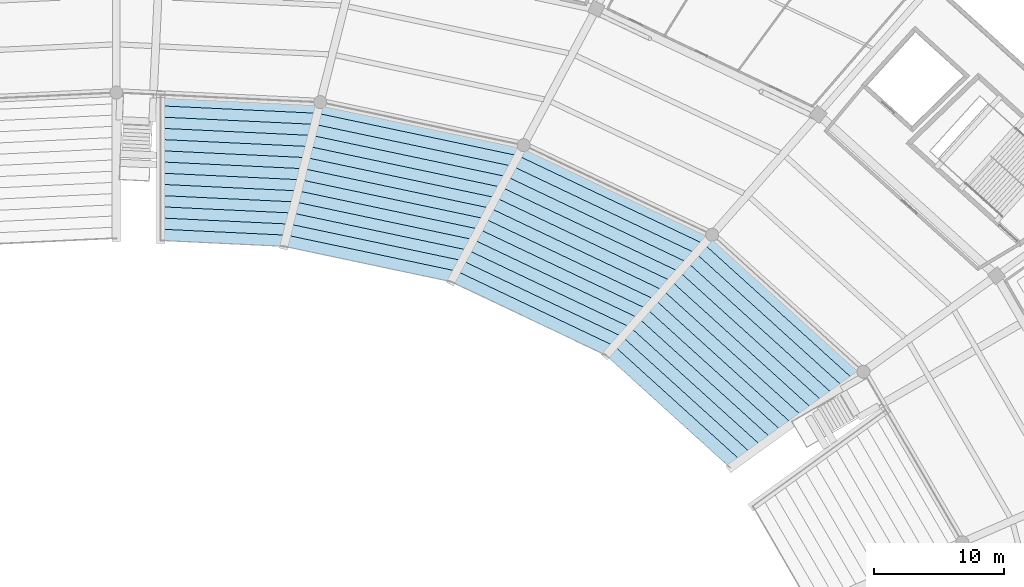
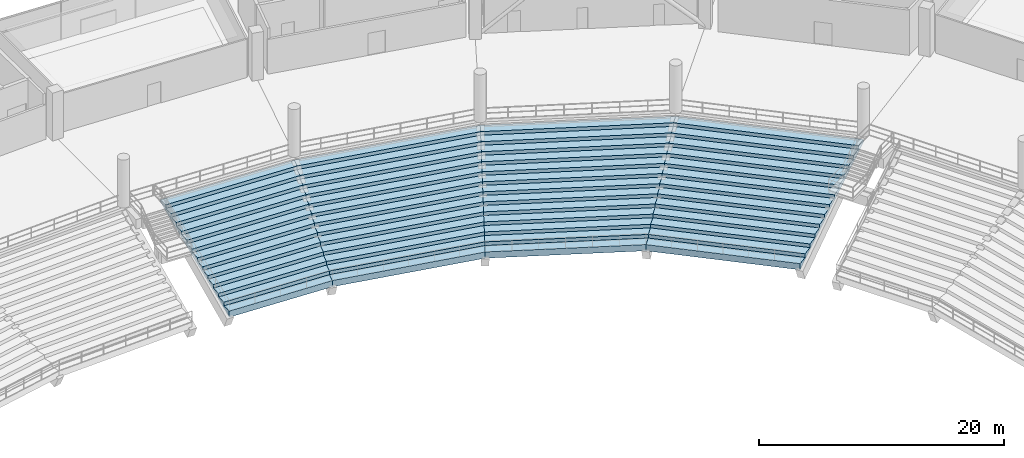
# One storey, part 115 of 156: 4 slabs.
"""IFC4 building model written with IfcOpenShell, lengths in metres."""

from ifc_helpers import new_model, si_unit, direction, frame, origin, place, context, subcontext, project, spatial, polygons, material, layer, layer_set, type_object, element, save


model = new_model("IFC4")

# Units and contexts
model_context = context("Model", 3, precision=1e-05, world=origin(), true_north=direction((0.0, 1.0)))
body_context = subcontext(model_context, "Body", "Model", "MODEL_VIEW")
ifc_project = project(units=[si_unit("LENGTHUNIT", "METRE"), si_unit("AREAUNIT", "SQUARE_METRE"), si_unit("VOLUMEUNIT", "CUBIC_METRE"), si_unit("PLANEANGLEUNIT", "RADIAN"), si_unit("MASSUNIT", "GRAM", prefix="KILO")], contexts=[model_context])

# Site, building, storey
site_placement = place(None, origin())
site = spatial("IfcSite", under=ifc_project, at=site_placement, CompositionType="ELEMENT")
building_placement = place(site_placement, origin())
building = spatial("IfcBuilding", under=site, at=building_placement, Name="Kazemori Nagisa Stadium", CompositionType="ELEMENT")
storey_placement = place(building_placement, frame((0.0, 0.0, 5.780029296875)))
storey = spatial("IfcBuildingStorey", under=building, at=storey_placement, Name="L01", CompositionType="ELEMENT", Elevation=5.780029296875)

# Slabs
ifc_material = material(Name="Concrete C36/45 (Fc36)", Category="concrete")
ifc_layer_1 = layer(ifc_material, 4.93994140625, Name="Concrete C36/45 (Fc36)", Category="concrete")
ifc_layer_set_1 = layer_set([ifc_layer_1], Name="Concrete C36/45 (Fc36)")
slab_type_1 = type_object("IfcSlabType", Name="SeatingTier_ST-LOW-13", PredefinedType="USERDEFINED", material=ifc_layer_set_1)
slab_1_placement = place(storey_placement, frame((0.0, 0.0, -5.780029296875)))
element("IfcSlab", 1, at=slab_1_placement, inside=storey, type_object=slab_type_1, Name="Stand lower tier bay 04", ObjectType="SEATING TIER", PredefinedType="USERDEFINED", context=body_context, shape_type="Tessellation", body=[
    polygons([(160.558837890625, 144.635498046875, 0.239990234375), (160.558837890625, 144.635498046875, 0.860107421875), (161.184814453125, 145.34619140625, 0.860107421875), (161.184814453125, 145.34619140625, 1.22021484375), (161.810791015625, 146.056640625, 1.22021484375), (161.810791015625, 146.056640625, 1.580322265625), (162.436767578125, 146.767333984375, 1.580322265625), (162.436767578125, 146.767333984375, 1.9404296875), (163.062744140625, 147.477783203125, 1.9404296875), (163.062744140625, 147.477783203125, 2.300537109375), (163.688720703125, 148.1884765625, 2.300537109375), (163.688720703125, 148.1884765625, 2.66064453125), (164.314697265625, 148.89892578125, 2.66064453125), (164.314697265625, 148.89892578125, 3.020751953125), (164.940673828125, 149.609619140625, 3.020751953125), (164.940673828125, 149.609619140625, 3.380859375), (165.566650390625, 150.320068359375, 3.380859375), (165.566650390625, 150.320068359375, 3.740966796875), (166.192626953125, 151.03076171875, 3.740966796875), (166.192626953125, 151.03076171875, 4.10107421875), (166.818603515625, 151.7412109375, 4.10107421875), (166.818603515625, 151.7412109375, 4.461181640625), (167.444580078125, 152.451904296875, 4.461181640625), (167.444580078125, 152.451904296875, 4.8212890625), (168.070556640625, 153.162353515625, 4.8212890625), (168.070556640625, 153.162353515625, 5.181396484375), (168.696533203125, 153.873046875, 5.181396484375), (168.696533203125, 153.873046875, 4.92138671875), (168.070556640625, 153.162353515625, 4.561279296875), (167.444580078125, 152.451904296875, 4.201171875), (166.818603515625, 151.7412109375, 3.841064453125), (166.192626953125, 151.03076171875, 3.48095703125), (165.566650390625, 150.320068359375, 3.120849609375), (164.940673828125, 149.609619140625, 2.7607421875), (164.314697265625, 148.89892578125, 2.400634765625), (163.688720703125, 148.1884765625, 2.04052734375), (163.062744140625, 147.477783203125, 1.680419921875), (162.436767578125, 146.767333984375, 1.3203125), (161.810791015625, 146.056640625, 0.960205078125), (161.184814453125, 145.34619140625, 0.60009765625), (170.09716796875, 136.00048828125, 0.239990234375), (170.09716796875, 136.00048828125, 0.860107421875), (170.882080078125, 136.567138671875, 0.860107421875), (170.882080078125, 136.567138671875, 1.22021484375), (171.6669921875, 137.1337890625, 1.22021484375), (171.6669921875, 137.1337890625, 1.580322265625), (172.451904296875, 137.700439453125, 1.580322265625), (172.451904296875, 137.700439453125, 1.9404296875), (173.237060546875, 138.267333984375, 1.9404296875), (173.237060546875, 138.267333984375, 2.300537109375), (174.02197265625, 138.833984375, 2.300537109375), (174.02197265625, 138.833984375, 2.66064453125), (174.806884765625, 139.400634765625, 2.66064453125), (174.806884765625, 139.400634765625, 3.020751953125), (175.591796875, 139.96728515625, 3.020751953125), (175.591796875, 139.96728515625, 3.380859375), (176.376708984375, 140.533935546875, 3.380859375), (176.376708984375, 140.533935546875, 3.740966796875), (177.16162109375, 141.1005859375, 3.740966796875), (177.16162109375, 141.1005859375, 4.10107421875), (177.94677734375, 141.66748046875, 4.10107421875), (177.94677734375, 141.66748046875, 4.461181640625), (178.731689453125, 142.234130859375, 4.461181640625), (178.731689453125, 142.234130859375, 4.8212890625), (179.5166015625, 142.80078125, 4.8212890625), (179.5166015625, 142.80078125, 5.181396484375), (180.301513671875, 143.367431640625, 5.181396484375), (180.301513671875, 143.367431640625, 4.92138671875), (179.5166015625, 142.80078125, 4.561279296875), (178.731689453125, 142.234130859375, 4.201171875), (177.94677734375, 141.66748046875, 3.841064453125), (177.16162109375, 141.1005859375, 3.48095703125), (176.376708984375, 140.533935546875, 3.120849609375), (175.591796875, 139.96728515625, 2.7607421875), (174.806884765625, 139.400634765625, 2.400634765625), (174.02197265625, 138.833984375, 2.04052734375), (173.237060546875, 138.267333984375, 1.680419921875), (172.451904296875, 137.700439453125, 1.3203125), (171.6669921875, 137.1337890625, 0.960205078125), (170.882080078125, 136.567138671875, 0.60009765625)], [[[1, 41, 42]], [[1, 42, 2]], [[2, 42, 43]], [[2, 43, 3]], [[3, 43, 44]], [[3, 44, 4]], [[4, 44, 45]], [[4, 45, 5]], [[5, 45, 46]], [[5, 46, 6]], [[6, 46, 47]], [[6, 47, 7]], [[7, 47, 48]], [[7, 48, 8]], [[8, 48, 49]], [[8, 49, 9]], [[9, 49, 50]], [[9, 50, 10]], [[10, 50, 51]], [[10, 51, 11]], [[11, 51, 52]], [[11, 52, 12]], [[12, 52, 53]], [[12, 53, 13]], [[13, 53, 54]], [[13, 54, 14]], [[14, 54, 55]], [[14, 55, 15]], [[15, 55, 56]], [[15, 56, 16]], [[16, 56, 57]], [[16, 57, 17]], [[17, 57, 58]], [[17, 58, 18]], [[18, 58, 59]], [[18, 59, 19]], [[19, 59, 60]], [[19, 60, 20]], [[20, 60, 61]], [[20, 61, 21]], [[21, 61, 62]], [[21, 62, 22]], [[22, 62, 63]], [[22, 63, 23]], [[23, 63, 64]], [[23, 64, 24]], [[24, 64, 65]], [[24, 65, 25]], [[25, 65, 66]], [[25, 66, 26]], [[26, 66, 67]], [[26, 67, 27]], [[27, 67, 68]], [[27, 68, 28]], [[28, 68, 29]], [[29, 68, 69]], [[29, 69, 30]], [[30, 69, 70]], [[30, 70, 31]], [[31, 70, 71]], [[31, 71, 32]], [[32, 71, 72]], [[32, 72, 33]], [[33, 72, 73]], [[33, 73, 34]], [[34, 73, 74]], [[34, 74, 35]], [[35, 74, 75]], [[35, 75, 36]], [[36, 75, 76]], [[36, 76, 37]], [[37, 76, 77]], [[37, 77, 38]], [[38, 77, 78]], [[38, 78, 39]], [[39, 78, 79]], [[39, 79, 40]], [[40, 79, 80]], [[40, 80, 1]], [[1, 80, 41]], [[1, 2, 3]], [[43, 42, 41]], [[1, 3, 40]], [[80, 43, 41]], [[40, 3, 39]], [[79, 43, 80]], [[39, 3, 5]], [[45, 43, 79]], [[3, 4, 5]], [[45, 44, 43]], [[39, 5, 38]], [[78, 45, 79]], [[38, 5, 7]], [[47, 45, 78]], [[5, 6, 7]], [[47, 46, 45]], [[38, 7, 37]], [[77, 47, 78]], [[37, 7, 9]], [[49, 47, 77]], [[7, 8, 9]], [[49, 48, 47]], [[37, 9, 36]], [[76, 49, 77]], [[36, 9, 11]], [[51, 49, 76]], [[9, 10, 11]], [[51, 50, 49]], [[36, 11, 35]], [[75, 51, 76]], [[35, 11, 13]], [[53, 51, 75]], [[11, 12, 13]], [[53, 52, 51]], [[35, 13, 34]], [[74, 53, 75]], [[34, 13, 15]], [[55, 53, 74]], [[13, 14, 15]], [[55, 54, 53]], [[34, 15, 33]], [[73, 55, 74]], [[33, 15, 17]], [[57, 55, 73]], [[15, 16, 17]], [[57, 56, 55]], [[33, 17, 32]], [[72, 57, 73]], [[32, 17, 19]], [[59, 57, 72]], [[17, 18, 19]], [[59, 58, 57]], [[32, 19, 31]], [[71, 59, 72]], [[31, 19, 21]], [[61, 59, 71]], [[19, 20, 21]], [[61, 60, 59]], [[31, 21, 30]], [[70, 61, 71]], [[30, 21, 23]], [[63, 61, 70]], [[21, 22, 23]], [[63, 62, 61]], [[30, 23, 29]], [[69, 63, 70]], [[29, 23, 25]], [[65, 63, 69]], [[23, 24, 25]], [[65, 64, 63]], [[29, 25, 28]], [[68, 65, 69]], [[28, 25, 27]], [[67, 65, 68]], [[25, 26, 27]], [[67, 66, 65]]], closed=True),
])
slab_2_placement = place(storey_placement, frame((0.0, 0.0, -5.780029296875)))
element("IfcSlab", 2, at=slab_2_placement, inside=storey, type_object=slab_type_1, Name="Stand lower tier bay 05", ObjectType="SEATING TIER", PredefinedType="USERDEFINED", context=body_context, shape_type="Tessellation", body=[
    polygons([(148.682861328125, 150.278564453125, 0.239990234375), (148.682861328125, 150.278564453125, 0.860107421875), (149.11083984375, 151.083251953125, 0.860107421875), (149.11083984375, 151.083251953125, 1.22021484375), (149.5390625, 151.887939453125, 1.22021484375), (149.5390625, 151.887939453125, 1.580322265625), (149.967041015625, 152.692626953125, 1.580322265625), (149.967041015625, 152.692626953125, 1.9404296875), (150.39501953125, 153.4970703125, 1.9404296875), (150.39501953125, 153.4970703125, 2.300537109375), (150.8232421875, 154.3017578125, 2.300537109375), (150.8232421875, 154.3017578125, 2.66064453125), (151.251220703125, 155.1064453125, 2.66064453125), (151.251220703125, 155.1064453125, 3.020751953125), (151.67919921875, 155.9111328125, 3.020751953125), (151.67919921875, 155.9111328125, 3.380859375), (152.107177734375, 156.7158203125, 3.380859375), (152.107177734375, 156.7158203125, 3.740966796875), (152.535400390625, 157.5205078125, 3.740966796875), (152.535400390625, 157.5205078125, 4.10107421875), (152.96337890625, 158.324951171875, 4.10107421875), (152.96337890625, 158.324951171875, 4.461181640625), (153.391357421875, 159.129638671875, 4.461181640625), (153.391357421875, 159.129638671875, 4.8212890625), (153.819580078125, 159.934326171875, 4.8212890625), (153.819580078125, 159.934326171875, 5.181396484375), (154.24755859375, 160.739013671875, 5.181396484375), (154.24755859375, 160.739013671875, 4.92138671875), (153.819580078125, 159.934326171875, 4.561279296875), (153.391357421875, 159.129638671875, 4.201171875), (152.96337890625, 158.324951171875, 3.841064453125), (152.535400390625, 157.5205078125, 3.48095703125), (152.107177734375, 156.7158203125, 3.120849609375), (151.67919921875, 155.9111328125, 2.7607421875), (151.251220703125, 155.1064453125, 2.400634765625), (150.8232421875, 154.3017578125, 2.04052734375), (150.39501953125, 153.4970703125, 1.680419921875), (149.967041015625, 152.692626953125, 1.3203125), (149.5390625, 151.887939453125, 0.960205078125), (149.11083984375, 151.083251953125, 0.60009765625), (160.558837890625, 144.635498046875, 0.239990234375), (160.558837890625, 144.635498046875, 0.860107421875), (161.184814453125, 145.34619140625, 0.860107421875), (161.184814453125, 145.34619140625, 1.22021484375), (161.810791015625, 146.056640625, 1.22021484375), (161.810791015625, 146.056640625, 1.580322265625), (162.436767578125, 146.767333984375, 1.580322265625), (162.436767578125, 146.767333984375, 1.9404296875), (163.062744140625, 147.477783203125, 1.9404296875), (163.062744140625, 147.477783203125, 2.300537109375), (163.688720703125, 148.1884765625, 2.300537109375), (163.688720703125, 148.1884765625, 2.66064453125), (164.314697265625, 148.89892578125, 2.66064453125), (164.314697265625, 148.89892578125, 3.020751953125), (164.940673828125, 149.609619140625, 3.020751953125), (164.940673828125, 149.609619140625, 3.380859375), (165.566650390625, 150.320068359375, 3.380859375), (165.566650390625, 150.320068359375, 3.740966796875), (166.192626953125, 151.03076171875, 3.740966796875), (166.192626953125, 151.03076171875, 4.10107421875), (166.818603515625, 151.7412109375, 4.10107421875), (166.818603515625, 151.7412109375, 4.461181640625), (167.444580078125, 152.451904296875, 4.461181640625), (167.444580078125, 152.451904296875, 4.8212890625), (168.070556640625, 153.162353515625, 4.8212890625), (168.070556640625, 153.162353515625, 5.181396484375), (168.696533203125, 153.873046875, 5.181396484375), (168.696533203125, 153.873046875, 4.92138671875), (168.070556640625, 153.162353515625, 4.561279296875), (167.444580078125, 152.451904296875, 4.201171875), (166.818603515625, 151.7412109375, 3.841064453125), (166.192626953125, 151.03076171875, 3.48095703125), (165.566650390625, 150.320068359375, 3.120849609375), (164.940673828125, 149.609619140625, 2.7607421875), (164.314697265625, 148.89892578125, 2.400634765625), (163.688720703125, 148.1884765625, 2.04052734375), (163.062744140625, 147.477783203125, 1.680419921875), (162.436767578125, 146.767333984375, 1.3203125), (161.810791015625, 146.056640625, 0.960205078125), (161.184814453125, 145.34619140625, 0.60009765625)], [[[1, 41, 42]], [[1, 42, 2]], [[2, 42, 43]], [[2, 43, 3]], [[3, 43, 44]], [[3, 44, 4]], [[4, 44, 45]], [[4, 45, 5]], [[5, 45, 46]], [[5, 46, 6]], [[6, 46, 47]], [[6, 47, 7]], [[7, 47, 48]], [[7, 48, 8]], [[8, 48, 49]], [[8, 49, 9]], [[9, 49, 50]], [[9, 50, 10]], [[10, 50, 51]], [[10, 51, 11]], [[11, 51, 52]], [[11, 52, 12]], [[12, 52, 53]], [[12, 53, 13]], [[13, 53, 54]], [[13, 54, 14]], [[14, 54, 55]], [[14, 55, 15]], [[15, 55, 56]], [[15, 56, 16]], [[16, 56, 57]], [[16, 57, 17]], [[17, 57, 58]], [[17, 58, 18]], [[18, 58, 59]], [[18, 59, 19]], [[19, 59, 60]], [[19, 60, 20]], [[20, 60, 61]], [[20, 61, 21]], [[21, 61, 62]], [[21, 62, 22]], [[22, 62, 63]], [[22, 63, 23]], [[23, 63, 64]], [[23, 64, 24]], [[24, 64, 65]], [[24, 65, 25]], [[25, 65, 66]], [[25, 66, 26]], [[26, 66, 67]], [[26, 67, 27]], [[27, 67, 68]], [[27, 68, 28]], [[28, 68, 29]], [[29, 68, 69]], [[29, 69, 30]], [[30, 69, 70]], [[30, 70, 31]], [[31, 70, 71]], [[31, 71, 32]], [[32, 71, 72]], [[32, 72, 33]], [[33, 72, 73]], [[33, 73, 34]], [[34, 73, 74]], [[34, 74, 35]], [[35, 74, 75]], [[35, 75, 36]], [[36, 75, 76]], [[36, 76, 37]], [[37, 76, 77]], [[37, 77, 38]], [[38, 77, 78]], [[38, 78, 39]], [[39, 78, 79]], [[39, 79, 40]], [[40, 79, 80]], [[40, 80, 1]], [[1, 80, 41]], [[1, 2, 3]], [[43, 42, 41]], [[1, 3, 40]], [[80, 43, 41]], [[40, 3, 39]], [[79, 43, 80]], [[39, 3, 5]], [[45, 43, 79]], [[3, 4, 5]], [[45, 44, 43]], [[39, 5, 38]], [[78, 45, 79]], [[38, 5, 7]], [[47, 45, 78]], [[5, 6, 7]], [[47, 46, 45]], [[38, 7, 37]], [[77, 47, 78]], [[37, 7, 9]], [[49, 47, 77]], [[7, 8, 9]], [[49, 48, 47]], [[37, 9, 36]], [[76, 49, 77]], [[36, 9, 11]], [[51, 49, 76]], [[9, 10, 11]], [[51, 50, 49]], [[36, 11, 35]], [[75, 51, 76]], [[35, 11, 13]], [[53, 51, 75]], [[11, 12, 13]], [[53, 52, 51]], [[35, 13, 34]], [[74, 53, 75]], [[34, 13, 15]], [[55, 53, 74]], [[13, 14, 15]], [[55, 54, 53]], [[34, 15, 33]], [[73, 55, 74]], [[33, 15, 17]], [[57, 55, 73]], [[15, 16, 17]], [[57, 56, 55]], [[33, 17, 32]], [[72, 57, 73]], [[32, 17, 19]], [[59, 57, 72]], [[17, 18, 19]], [[59, 58, 57]], [[32, 19, 31]], [[71, 59, 72]], [[31, 19, 21]], [[61, 59, 71]], [[19, 20, 21]], [[61, 60, 59]], [[31, 21, 30]], [[70, 61, 71]], [[30, 21, 23]], [[63, 61, 70]], [[21, 22, 23]], [[63, 62, 61]], [[30, 23, 29]], [[69, 63, 70]], [[29, 23, 25]], [[65, 63, 69]], [[23, 24, 25]], [[65, 64, 63]], [[29, 25, 28]], [[68, 65, 69]], [[28, 25, 27]], [[67, 65, 68]], [[25, 26, 27]], [[67, 66, 65]]], closed=True),
])
slab_3_placement = place(storey_placement, frame((0.0, 0.0, -5.780029296875)))
element("IfcSlab", 3, at=slab_3_placement, inside=storey, type_object=slab_type_1, Name="Stand lower tier bay 06", ObjectType="SEATING TIER", PredefinedType="USERDEFINED", context=body_context, shape_type="Tessellation", body=[
    polygons([(135.856689453125, 152.9921875, 0.239990234375), (135.856689453125, 152.9921875, 0.860107421875), (136.071044921875, 153.842041015625, 0.860107421875), (136.071044921875, 153.842041015625, 1.22021484375), (136.28515625, 154.69189453125, 1.22021484375), (136.28515625, 154.69189453125, 1.580322265625), (136.49951171875, 155.541748046875, 1.580322265625), (136.49951171875, 155.541748046875, 1.9404296875), (136.713623046875, 156.3916015625, 1.9404296875), (136.713623046875, 156.3916015625, 2.300537109375), (136.927978515625, 157.241455078125, 2.300537109375), (136.927978515625, 157.241455078125, 2.66064453125), (137.142333984375, 158.09130859375, 2.66064453125), (137.142333984375, 158.09130859375, 3.020751953125), (137.3564453125, 158.941162109375, 3.020751953125), (137.3564453125, 158.941162109375, 3.380859375), (137.57080078125, 159.791015625, 3.380859375), (137.57080078125, 159.791015625, 3.740966796875), (137.78515625, 160.640869140625, 3.740966796875), (137.78515625, 160.640869140625, 4.10107421875), (137.999267578125, 161.49072265625, 4.10107421875), (137.999267578125, 161.49072265625, 4.461181640625), (138.213623046875, 162.340576171875, 4.461181640625), (138.213623046875, 162.340576171875, 4.8212890625), (138.427734375, 163.1904296875, 4.8212890625), (138.427734375, 163.1904296875, 5.181396484375), (138.64208984375, 164.040283203125, 5.181396484375), (138.64208984375, 164.040283203125, 4.92138671875), (138.427734375, 163.1904296875, 4.561279296875), (138.213623046875, 162.340576171875, 4.201171875), (137.999267578125, 161.49072265625, 3.841064453125), (137.78515625, 160.640869140625, 3.48095703125), (137.57080078125, 159.791015625, 3.120849609375), (137.3564453125, 158.941162109375, 2.7607421875), (137.142333984375, 158.09130859375, 2.400634765625), (136.927978515625, 157.241455078125, 2.04052734375), (136.713623046875, 156.3916015625, 1.680419921875), (136.49951171875, 155.541748046875, 1.3203125), (136.28515625, 154.69189453125, 0.960205078125), (136.071044921875, 153.842041015625, 0.60009765625), (148.682861328125, 150.278564453125, 0.239990234375), (148.682861328125, 150.278564453125, 0.860107421875), (149.11083984375, 151.083251953125, 0.860107421875), (149.11083984375, 151.083251953125, 1.22021484375), (149.5390625, 151.887939453125, 1.22021484375), (149.5390625, 151.887939453125, 1.580322265625), (149.967041015625, 152.692626953125, 1.580322265625), (149.967041015625, 152.692626953125, 1.9404296875), (150.39501953125, 153.4970703125, 1.9404296875), (150.39501953125, 153.4970703125, 2.300537109375), (150.8232421875, 154.3017578125, 2.300537109375), (150.8232421875, 154.3017578125, 2.66064453125), (151.251220703125, 155.1064453125, 2.66064453125), (151.251220703125, 155.1064453125, 3.020751953125), (151.67919921875, 155.9111328125, 3.020751953125), (151.67919921875, 155.9111328125, 3.380859375), (152.107177734375, 156.7158203125, 3.380859375), (152.107177734375, 156.7158203125, 3.740966796875), (152.535400390625, 157.5205078125, 3.740966796875), (152.535400390625, 157.5205078125, 4.10107421875), (152.96337890625, 158.324951171875, 4.10107421875), (152.96337890625, 158.324951171875, 4.461181640625), (153.391357421875, 159.129638671875, 4.461181640625), (153.391357421875, 159.129638671875, 4.8212890625), (153.819580078125, 159.934326171875, 4.8212890625), (153.819580078125, 159.934326171875, 5.181396484375), (154.24755859375, 160.739013671875, 5.181396484375), (154.24755859375, 160.739013671875, 4.92138671875), (153.819580078125, 159.934326171875, 4.561279296875), (153.391357421875, 159.129638671875, 4.201171875), (152.96337890625, 158.324951171875, 3.841064453125), (152.535400390625, 157.5205078125, 3.48095703125), (152.107177734375, 156.7158203125, 3.120849609375), (151.67919921875, 155.9111328125, 2.7607421875), (151.251220703125, 155.1064453125, 2.400634765625), (150.8232421875, 154.3017578125, 2.04052734375), (150.39501953125, 153.4970703125, 1.680419921875), (149.967041015625, 152.692626953125, 1.3203125), (149.5390625, 151.887939453125, 0.960205078125), (149.11083984375, 151.083251953125, 0.60009765625)], [[[1, 41, 42]], [[1, 42, 2]], [[2, 42, 43]], [[2, 43, 3]], [[3, 43, 44]], [[3, 44, 4]], [[4, 44, 45]], [[4, 45, 5]], [[5, 45, 46]], [[5, 46, 6]], [[6, 46, 47]], [[6, 47, 7]], [[7, 47, 48]], [[7, 48, 8]], [[8, 48, 49]], [[8, 49, 9]], [[9, 49, 50]], [[9, 50, 10]], [[10, 50, 51]], [[10, 51, 11]], [[11, 51, 52]], [[11, 52, 12]], [[12, 52, 53]], [[12, 53, 13]], [[13, 53, 54]], [[13, 54, 14]], [[14, 54, 55]], [[14, 55, 15]], [[15, 55, 56]], [[15, 56, 16]], [[16, 56, 57]], [[16, 57, 17]], [[17, 57, 58]], [[17, 58, 18]], [[18, 58, 59]], [[18, 59, 19]], [[19, 59, 60]], [[19, 60, 20]], [[20, 60, 61]], [[20, 61, 21]], [[21, 61, 62]], [[21, 62, 22]], [[22, 62, 63]], [[22, 63, 23]], [[23, 63, 64]], [[23, 64, 24]], [[24, 64, 65]], [[24, 65, 25]], [[25, 65, 66]], [[25, 66, 26]], [[26, 66, 67]], [[26, 67, 27]], [[27, 67, 68]], [[27, 68, 28]], [[28, 68, 29]], [[29, 68, 69]], [[29, 69, 30]], [[30, 69, 70]], [[30, 70, 31]], [[31, 70, 71]], [[31, 71, 32]], [[32, 71, 72]], [[32, 72, 33]], [[33, 72, 73]], [[33, 73, 34]], [[34, 73, 74]], [[34, 74, 35]], [[35, 74, 75]], [[35, 75, 36]], [[36, 75, 76]], [[36, 76, 37]], [[37, 76, 77]], [[37, 77, 38]], [[38, 77, 78]], [[38, 78, 39]], [[39, 78, 79]], [[39, 79, 40]], [[40, 79, 80]], [[40, 80, 1]], [[1, 80, 41]], [[1, 2, 3]], [[43, 42, 41]], [[1, 3, 40]], [[80, 43, 41]], [[40, 3, 39]], [[79, 43, 80]], [[39, 3, 5]], [[45, 43, 79]], [[3, 4, 5]], [[45, 44, 43]], [[39, 5, 38]], [[78, 45, 79]], [[38, 5, 7]], [[47, 45, 78]], [[5, 6, 7]], [[47, 46, 45]], [[38, 7, 37]], [[77, 47, 78]], [[37, 7, 9]], [[49, 47, 77]], [[7, 8, 9]], [[49, 48, 47]], [[37, 9, 36]], [[76, 49, 77]], [[36, 9, 11]], [[51, 49, 76]], [[9, 10, 11]], [[51, 50, 49]], [[36, 11, 35]], [[75, 51, 76]], [[35, 11, 13]], [[53, 51, 75]], [[11, 12, 13]], [[53, 52, 51]], [[35, 13, 34]], [[74, 53, 75]], [[34, 13, 15]], [[55, 53, 74]], [[13, 14, 15]], [[55, 54, 53]], [[34, 15, 33]], [[73, 55, 74]], [[33, 15, 17]], [[57, 55, 73]], [[15, 16, 17]], [[57, 56, 55]], [[33, 17, 32]], [[72, 57, 73]], [[32, 17, 19]], [[59, 57, 72]], [[17, 18, 19]], [[59, 58, 57]], [[32, 19, 31]], [[71, 59, 72]], [[31, 19, 21]], [[61, 59, 71]], [[19, 20, 21]], [[61, 60, 59]], [[31, 21, 30]], [[70, 61, 71]], [[30, 21, 23]], [[63, 61, 70]], [[21, 22, 23]], [[63, 62, 61]], [[30, 23, 29]], [[69, 63, 70]], [[29, 23, 25]], [[65, 63, 69]], [[23, 24, 25]], [[65, 64, 63]], [[29, 25, 28]], [[68, 65, 69]], [[28, 25, 27]], [[67, 65, 68]], [[25, 26, 27]], [[67, 66, 65]]], closed=True),
])
ifc_layer_2 = layer(ifc_material, 4.93994140625, Name="Concrete C36/45 (Fc36)", Category="concrete")
ifc_layer_set_2 = layer_set([ifc_layer_2], Name="Concrete C36/45 (Fc36)")
slab_type_2 = type_object("IfcSlabType", Name="SeatingTier_ST-LOW-13V", PredefinedType="USERDEFINED", material=ifc_layer_set_2)
slab_4_placement = place(storey_placement, frame((0.0, 0.0, -5.780029296875)))
element("IfcSlab", 4, at=slab_4_placement, inside=storey, type_object=slab_type_2, Name="Stand lower tier bay 07", ObjectType="SEATING TIER", PredefinedType="USERDEFINED", context=body_context, shape_type="Tessellation", body=[
    polygons([(126.396240234375, 153.439453125, 0.239990234375), (126.396240234375, 153.439453125, 0.860107421875), (126.396240234375, 154.299560546875, 0.860107421875), (126.396240234375, 154.299560546875, 1.22021484375), (126.396240234375, 155.159423828125, 1.22021484375), (126.396240234375, 155.159423828125, 1.580322265625), (126.396240234375, 156.01953125, 1.580322265625), (126.396240234375, 156.01953125, 1.9404296875), (126.396240234375, 156.87939453125, 1.9404296875), (126.396240234375, 156.87939453125, 2.300537109375), (126.396240234375, 157.739501953125, 2.300537109375), (126.396240234375, 157.739501953125, 2.66064453125), (126.396240234375, 158.599365234375, 2.66064453125), (126.396240234375, 158.599365234375, 3.020751953125), (126.396240234375, 159.45947265625, 3.020751953125), (126.396240234375, 159.45947265625, 3.380859375), (126.396240234375, 160.3193359375, 3.380859375), (126.396240234375, 160.3193359375, 3.740966796875), (126.396240234375, 161.179443359375, 3.740966796875), (126.396240234375, 161.179443359375, 4.10107421875), (126.396240234375, 162.039306640625, 4.10107421875), (126.396240234375, 162.039306640625, 4.461181640625), (126.396240234375, 162.8994140625, 4.461181640625), (126.396240234375, 162.8994140625, 4.8212890625), (126.396240234375, 163.75927734375, 4.8212890625), (126.396240234375, 163.75927734375, 5.181396484375), (126.396240234375, 164.619384765625, 5.181396484375), (126.396240234375, 164.619384765625, 4.92138671875), (126.396240234375, 163.75927734375, 4.561279296875), (126.396240234375, 162.8994140625, 4.201171875), (126.396240234375, 162.039306640625, 3.841064453125), (126.396240234375, 161.179443359375, 3.48095703125), (126.396240234375, 160.3193359375, 3.120849609375), (126.396240234375, 159.45947265625, 2.7607421875), (126.396240234375, 158.599365234375, 2.400634765625), (126.396240234375, 157.739501953125, 2.04052734375), (126.396240234375, 156.87939453125, 1.680419921875), (126.396240234375, 156.01953125, 1.3203125), (126.396240234375, 155.159423828125, 0.960205078125), (126.396240234375, 154.299560546875, 0.60009765625), (135.856689453125, 152.9921875, 0.239990234375), (135.856689453125, 152.9921875, 0.860107421875), (136.071044921875, 153.842041015625, 0.860107421875), (136.071044921875, 153.842041015625, 1.22021484375), (136.28515625, 154.69189453125, 1.22021484375), (136.28515625, 154.69189453125, 1.580322265625), (136.49951171875, 155.541748046875, 1.580322265625), (136.49951171875, 155.541748046875, 1.9404296875), (136.713623046875, 156.3916015625, 1.9404296875), (136.713623046875, 156.3916015625, 2.300537109375), (136.927978515625, 157.241455078125, 2.300537109375), (136.927978515625, 157.241455078125, 2.66064453125), (137.142333984375, 158.09130859375, 2.66064453125), (137.142333984375, 158.09130859375, 3.020751953125), (137.3564453125, 158.941162109375, 3.020751953125), (137.3564453125, 158.941162109375, 3.380859375), (137.57080078125, 159.791015625, 3.380859375), (137.57080078125, 159.791015625, 3.740966796875), (137.78515625, 160.640869140625, 3.740966796875), (137.78515625, 160.640869140625, 4.10107421875), (137.999267578125, 161.49072265625, 4.10107421875), (137.999267578125, 161.49072265625, 4.461181640625), (138.213623046875, 162.340576171875, 4.461181640625), (138.213623046875, 162.340576171875, 4.8212890625), (138.427734375, 163.1904296875, 4.8212890625), (138.427734375, 163.1904296875, 5.181396484375), (138.64208984375, 164.040283203125, 5.181396484375), (138.64208984375, 164.040283203125, 4.92138671875), (138.427734375, 163.1904296875, 4.561279296875), (138.213623046875, 162.340576171875, 4.201171875), (137.999267578125, 161.49072265625, 3.841064453125), (137.78515625, 160.640869140625, 3.48095703125), (137.57080078125, 159.791015625, 3.120849609375), (137.3564453125, 158.941162109375, 2.7607421875), (137.142333984375, 158.09130859375, 2.400634765625), (136.927978515625, 157.241455078125, 2.04052734375), (136.713623046875, 156.3916015625, 1.680419921875), (136.49951171875, 155.541748046875, 1.3203125), (136.28515625, 154.69189453125, 0.960205078125), (136.071044921875, 153.842041015625, 0.60009765625)], [[[1, 41, 42]], [[1, 42, 2]], [[2, 42, 43]], [[2, 43, 3]], [[3, 43, 44]], [[3, 44, 4]], [[4, 44, 45]], [[4, 45, 5]], [[5, 45, 46]], [[5, 46, 6]], [[6, 46, 47]], [[6, 47, 7]], [[7, 47, 48]], [[7, 48, 8]], [[8, 48, 49]], [[8, 49, 9]], [[9, 49, 50]], [[9, 50, 10]], [[10, 50, 51]], [[10, 51, 11]], [[11, 51, 52]], [[11, 52, 12]], [[12, 52, 53]], [[12, 53, 13]], [[13, 53, 54]], [[13, 54, 14]], [[14, 54, 55]], [[14, 55, 15]], [[15, 55, 56]], [[15, 56, 16]], [[16, 56, 57]], [[16, 57, 17]], [[17, 57, 58]], [[17, 58, 18]], [[18, 58, 59]], [[18, 59, 19]], [[19, 59, 60]], [[19, 60, 20]], [[20, 60, 61]], [[20, 61, 21]], [[21, 61, 62]], [[21, 62, 22]], [[22, 62, 63]], [[22, 63, 23]], [[23, 63, 64]], [[23, 64, 24]], [[24, 64, 65]], [[24, 65, 25]], [[25, 65, 66]], [[25, 66, 26]], [[26, 66, 67]], [[26, 67, 27]], [[27, 67, 68]], [[27, 68, 28]], [[28, 68, 29]], [[29, 68, 69]], [[29, 69, 30]], [[30, 69, 70]], [[30, 70, 31]], [[31, 70, 71]], [[31, 71, 32]], [[32, 71, 72]], [[32, 72, 33]], [[33, 72, 73]], [[33, 73, 34]], [[34, 73, 74]], [[34, 74, 35]], [[35, 74, 75]], [[35, 75, 36]], [[36, 75, 76]], [[36, 76, 37]], [[37, 76, 77]], [[37, 77, 38]], [[38, 77, 78]], [[38, 78, 39]], [[39, 78, 79]], [[39, 79, 40]], [[40, 79, 80]], [[40, 80, 1]], [[1, 80, 41]], [[1, 2, 3]], [[43, 42, 41]], [[1, 3, 40]], [[80, 43, 41]], [[40, 3, 39]], [[79, 43, 80]], [[39, 3, 5]], [[45, 43, 79]], [[3, 4, 5]], [[45, 44, 43]], [[39, 5, 38]], [[78, 45, 79]], [[38, 5, 7]], [[47, 45, 78]], [[5, 6, 7]], [[47, 46, 45]], [[38, 7, 37]], [[77, 47, 78]], [[37, 7, 9]], [[49, 47, 77]], [[7, 8, 9]], [[49, 48, 47]], [[37, 9, 36]], [[76, 49, 77]], [[36, 9, 11]], [[51, 49, 76]], [[9, 10, 11]], [[51, 50, 49]], [[36, 11, 35]], [[75, 51, 76]], [[35, 11, 13]], [[53, 51, 75]], [[11, 12, 13]], [[53, 52, 51]], [[35, 13, 34]], [[74, 53, 75]], [[34, 13, 15]], [[55, 53, 74]], [[13, 14, 15]], [[55, 54, 53]], [[34, 15, 33]], [[73, 55, 74]], [[33, 15, 17]], [[57, 55, 73]], [[15, 16, 17]], [[57, 56, 55]], [[33, 17, 32]], [[72, 57, 73]], [[32, 17, 19]], [[59, 57, 72]], [[17, 18, 19]], [[59, 58, 57]], [[32, 19, 31]], [[71, 59, 72]], [[31, 19, 21]], [[61, 59, 71]], [[19, 20, 21]], [[61, 60, 59]], [[31, 21, 30]], [[70, 61, 71]], [[30, 21, 23]], [[63, 61, 70]], [[21, 22, 23]], [[63, 62, 61]], [[30, 23, 29]], [[69, 63, 70]], [[29, 23, 25]], [[65, 63, 69]], [[23, 24, 25]], [[65, 64, 63]], [[29, 25, 28]], [[68, 65, 69]], [[28, 25, 27]], [[67, 65, 68]], [[25, 26, 27]], [[67, 66, 65]]], closed=True),
])

save(model, "model.ifc")
